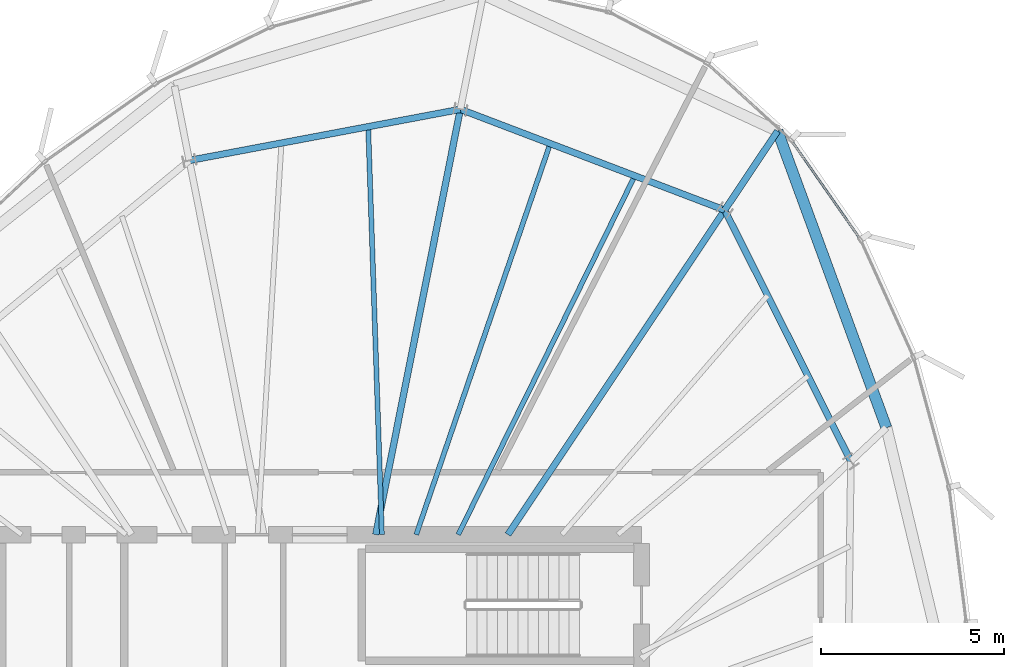
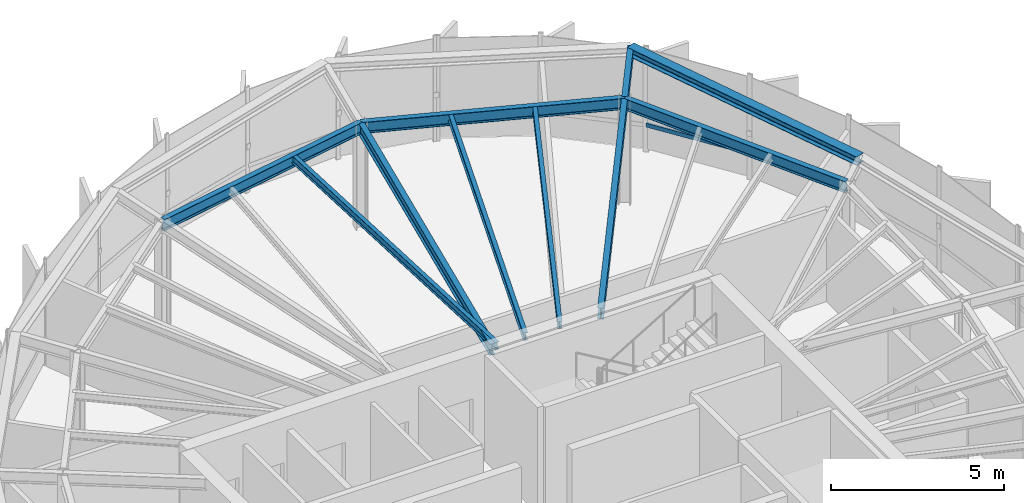
# One storey, part 16 of 26: 10 beams, 1 member, 1 element without a shape of its own.
"""IFC4 building model written with IfcOpenShell, lengths in metres."""

from ifc_helpers import new_model, si_unit, direction, frame, origin, origin_2d, place, context, subcontext, project, spatial, hollow_rectangle, i_section, extrude, source, transform, mapped, material, layer, layer_set, material_profile, profile_set, type_object, element, aggregate, save


model = new_model("IFC4")

# Units and contexts
model_context = context("Model", 3, precision=1e-05, world=origin(), true_north=direction((0.0, 1.0)))
body_context = subcontext(model_context, "Body", "Model", "MODEL_VIEW")
ifc_project = project(units=[si_unit("LENGTHUNIT", "METRE"), si_unit("AREAUNIT", "SQUARE_METRE"), si_unit("VOLUMEUNIT", "CUBIC_METRE"), si_unit("PLANEANGLEUNIT", "RADIAN"), si_unit("MASSUNIT", "GRAM", prefix="KILO"), si_unit("THERMODYNAMICTEMPERATUREUNIT", "KELVIN")], contexts=[model_context])

# Site, building, storey
site_placement = place(None, origin())
site = spatial("IfcSite", under=ifc_project, at=site_placement, CompositionType="ELEMENT")
building_placement = place(site_placement, origin())
building = spatial("IfcBuilding", under=site, at=building_placement, Name="Kethvar Cultural Tower", CompositionType="ELEMENT")
storey_placement = place(building_placement, frame((0.0, 0.0, 316.300048828125)))
storey = spatial("IfcBuildingStorey", under=building, at=storey_placement, Name="L84", CompositionType="ELEMENT", Elevation=316.300048828125)

# Beams
ifc_material_1 = material(Name="Steel S355J2", Category="steel")
ifc_material_profile_1 = material_profile(ifc_material_1, i_section(OverallWidth=0.135009765625, OverallDepth=0.27001953125, WebThickness=0.006591796875, FlangeThickness=0.01025390625, FilletRadius=0.014892578125, at=origin_2d()), Name="Steel S355J2 — IPE270")
ifc_profile_set_1 = profile_set([ifc_material_profile_1], Name="Steel S355J2 — IPE270")
beam_type_1 = type_object("IfcBeamType", Name="BM-J270", PredefinedType="JOIST", material=ifc_profile_set_1)
shared_shape_1 = source(origin(), body_context, "Body", "SweptSolid", [
    extrude(i_section(OverallWidth=0.135009765625, OverallDepth=0.27001953125, WebThickness=0.006591796875, FlangeThickness=0.01025390625, FilletRadius=0.014892578125, at=origin_2d()), origin(), (0.0, 0.0, 1.0), 10.935791015625),
])
beam_1_placement = place(storey_placement, frame((50.5888671875, 35.5, 3.597900390625), z_axis=(0.441498236677, 0.897262117227, 0.0), x_axis=(-0.897262117227, 0.441498236677, 0.0)))
element("IfcBeam", 1, at=beam_1_placement, inside=storey, type_object=beam_type_1, Name="L84 Composite Floor Joist J-03A", PredefinedType="JOIST", context=body_context, shape_type="MappedRepresentation", body=[
    mapped(shared_shape_1, transform((0.0, 0.0, 0.0), scale=1.0)),
])
shared_shape_2 = source(origin(), body_context, "Body", "SweptSolid", [
    extrude(i_section(OverallWidth=0.135009765625, OverallDepth=0.27001953125, WebThickness=0.006591796875, FlangeThickness=0.01025390625, FilletRadius=0.014892578125, at=origin_2d()), origin(), (0.0, 0.0, 1.0), 11.304931640625),
])
beam_2_placement = place(storey_placement, frame((49.438720703125, 35.5, 3.597900390625), z_axis=(0.324179110764, 0.945995720997, 0.0), x_axis=(-0.945995720997, 0.324179110764, 0.0)))
element("IfcBeam", 2, at=beam_2_placement, inside=storey, type_object=beam_type_1, Name="L84 Composite Floor Joist J-03B", PredefinedType="JOIST", context=body_context, shape_type="MappedRepresentation", body=[
    mapped(shared_shape_2, transform((0.0, 0.0, 0.0), scale=1.0)),
])
shared_shape_3 = source(origin(), body_context, "Body", "SweptSolid", [
    extrude(i_section(OverallWidth=0.135009765625, OverallDepth=0.27001953125, WebThickness=0.006591796875, FlangeThickness=0.01025390625, FilletRadius=0.014892578125, at=origin_2d()), origin(), (0.0, 0.0, 1.0), 11.162109375),
])
beam_3_placement = place(storey_placement, frame((48.5, 35.5, 3.597900390625), z_axis=(-0.0335959409, 0.999435497046, 0.0), x_axis=(-0.999435497046, -0.0335959409, 0.0)))
element("IfcBeam", 3, at=beam_3_placement, inside=storey, type_object=beam_type_1, Name="L84 Composite Floor Joist J-04A", PredefinedType="JOIST", context=body_context, shape_type="MappedRepresentation", body=[
    mapped(shared_shape_3, transform((0.0, 0.0, 0.0), scale=1.0)),
])
ifc_material_profile_2 = material_profile(ifc_material_1, i_section(OverallWidth=0.179931640625, OverallDepth=0.39990234375, WebThickness=0.008544921875, FlangeThickness=0.013427734375, FilletRadius=0.02099609375, at=origin_2d()), Name="Steel S355J2 — IPE400")
ifc_profile_set_2 = profile_set([ifc_material_profile_2], Name="Steel S355J2 — IPE400")
beam_type_2 = type_object("IfcBeamType", Name="BM-IPE400", PredefinedType="BEAM", material=ifc_profile_set_2)
shared_shape_4 = source(origin(), body_context, "Body", "SweptSolid", [
    extrude(i_section(OverallWidth=0.179931640625, OverallDepth=0.39990234375, WebThickness=0.008544921875, FlangeThickness=0.013427734375, FilletRadius=0.02099609375, at=origin_2d()), origin(), (0.0, 0.0, 1.0), 10.673828125),
])
beam_4_placement = place(storey_placement, frame((51.945068359375, 35.5, 3.532958984375), z_axis=(0.555576086183, 0.831465701314, 0.0), x_axis=(-0.831465701314, 0.555576086183, 0.0)))
element("IfcBeam", 4, at=beam_4_placement, inside=storey, type_object=beam_type_2, Name="L84 Primary Radial Beam RB-03", PredefinedType="BEAM", context=body_context, shape_type="MappedRepresentation", body=[
    mapped(shared_shape_4, transform((0.0, 0.0, 0.0), scale=1.0)),
])
shared_shape_5 = source(origin(), body_context, "Body", "SweptSolid", [
    extrude(i_section(OverallWidth=0.179931640625, OverallDepth=0.39990234375, WebThickness=0.008544921875, FlangeThickness=0.013427734375, FilletRadius=0.02099609375, at=origin_2d()), origin(), (0.0, 0.0, 1.0), 11.859375),
])
beam_5_placement = place(storey_placement, frame((48.33154296875, 35.5, 3.532958984375), z_axis=(0.195094640585, 0.980784421377, 0.0), x_axis=(-0.980784421377, 0.195094640585, 0.0)))
element("IfcBeam", 5, at=beam_5_placement, inside=storey, type_object=beam_type_2, Name="L84 Primary Radial Beam RB-04", PredefinedType="BEAM", context=body_context, shape_type="MappedRepresentation", body=[
    mapped(shared_shape_5, transform((0.0, 0.0, 0.0), scale=1.0)),
])
shared_shape_6 = source(origin(), body_context, "Body", "SweptSolid", [
    extrude(i_section(OverallWidth=0.179931640625, OverallDepth=0.39990234375, WebThickness=0.008544921875, FlangeThickness=0.013427734375, FilletRadius=0.02099609375, at=origin_2d()), origin(), (0.0, 0.0, 1.0), 7.68701171875),
])
beam_6_placement = place(storey_placement, frame((61.32568359375, 37.505859375, 3.532958984375), z_axis=(-0.448864354142, 0.893599905763, 0.0), x_axis=(-0.893599905763, -0.448864354142, 0.0)))
element("IfcBeam", 6, at=beam_6_placement, inside=storey, type_object=beam_type_2, Name="L84 Column Ring Tie Beam CR-02", PredefinedType="BEAM", context=body_context, shape_type="MappedRepresentation", body=[
    mapped(shared_shape_6, transform((0.0, 0.0, 0.0), scale=1.0)),
])
shared_shape_7 = source(origin(), body_context, "Body", "SweptSolid", [
    extrude(i_section(OverallWidth=0.179931640625, OverallDepth=0.39990234375, WebThickness=0.008544921875, FlangeThickness=0.013427734375, FilletRadius=0.02099609375, at=origin_2d()), origin(), (0.0, 0.0, 1.0), 7.737548828125),
])
beam_7_placement = place(storey_placement, frame((57.875244140625, 44.375, 3.532958984375), z_axis=(-0.934388230776, 0.356256416347, 0.0), x_axis=(-0.356256416347, -0.934388230776, 0.0)))
element("IfcBeam", 7, at=beam_7_placement, inside=storey, type_object=beam_type_2, Name="L84 Column Ring Tie Beam CR-03", PredefinedType="BEAM", context=body_context, shape_type="MappedRepresentation", body=[
    mapped(shared_shape_7, transform((0.0, 0.0, 0.0), scale=1.0)),
])
shared_shape_8 = source(origin(), body_context, "Body", "SweptSolid", [
    extrude(i_section(OverallWidth=0.179931640625, OverallDepth=0.39990234375, WebThickness=0.008544921875, FlangeThickness=0.013427734375, FilletRadius=0.02099609375, at=origin_2d()), origin(), (0.0, 0.0, 1.0), 7.543212890625),
])
beam_8_placement = place(storey_placement, frame((50.645263671875, 47.131591796875, 3.532958984375), z_axis=(-0.982646853086, -0.185486285532, 0.0), x_axis=(0.185486285532, -0.982646853086, 0.0)))
element("IfcBeam", 8, at=beam_8_placement, inside=storey, type_object=beam_type_2, Name="L84 Column Ring Tie Beam CR-04", PredefinedType="BEAM", context=body_context, shape_type="MappedRepresentation", body=[
    mapped(shared_shape_8, transform((0.0, 0.0, 0.0), scale=1.0)),
])
shared_shape_9 = source(origin(), body_context, "Body", "SweptSolid", [
    extrude(i_section(OverallWidth=0.179931640625, OverallDepth=0.39990234375, WebThickness=0.008544921875, FlangeThickness=0.013427734375, FilletRadius=0.02099609375, at=origin_2d()), origin(), (0.0, 0.0, 1.0), 2.602294921875),
])
beam_9_placement = place(storey_placement, frame((57.875244140625, 44.375, 3.532958984375), z_axis=(0.555501007206, 0.831515863345, 0.0), x_axis=(-0.831515863345, 0.555501007206, 0.0)))
element("IfcBeam", 9, at=beam_9_placement, inside=storey, type_object=beam_type_2, Name="L84 Perimeter Cantilever Beam RC-03", PredefinedType="BEAM", context=body_context, shape_type="MappedRepresentation", body=[
    mapped(shared_shape_9, transform((0.0, 0.0, 0.0), scale=1.0)),
])
ifc_material_profile_3 = material_profile(ifc_material_1, i_section(OverallWidth=0.300048828125, OverallDepth=0.300048828125, WebThickness=0.010986328125, FlangeThickness=0.01904296875, FilletRadius=0.027099609375, at=origin_2d()), Name="Steel S355J2 — HEB300")
ifc_profile_set_3 = profile_set([ifc_material_profile_3], Name="Steel S355J2 — HEB300")
beam_type_3 = type_object("IfcBeamType", Name="BM-SP300", PredefinedType="SPANDREL", material=ifc_profile_set_3)
shared_shape_10 = source(origin(), body_context, "Body", "SweptSolid", [
    extrude(i_section(OverallWidth=0.300048828125, OverallDepth=0.300048828125, WebThickness=0.010986328125, FlangeThickness=0.01904296875, FilletRadius=0.027099609375, at=origin_2d()), origin(), (0.0, 0.0, 1.0), 8.64453125),
])
beam_10_placement = place(storey_placement, frame((62.297119140625, 38.4228515625, 3.5830078125), z_axis=(-0.344301949743, 0.938858970987, 0.0), x_axis=(-0.938858970987, -0.344301949743, 0.0)))
element("IfcBeam", 10, at=beam_10_placement, inside=storey, type_object=beam_type_3, Name="L84 Perimeter Spandrel Beam SP-02", PredefinedType="SPANDREL", context=body_context, shape_type="MappedRepresentation", body=[
    mapped(shared_shape_10, transform((0.0, 0.0, 0.0), scale=1.0)),
])

# Curtain wall, member
ifc_material_2 = material(Name="Aluminium 6063-T6", Category="aluminium")
ifc_layer = layer(ifc_material_2, 0.179931640625, Name="Aluminium 6063-T6", Category="aluminium")
ifc_layer_set = layer_set([ifc_layer], Name="Aluminium 6063-T6 (180 mm)")
curtain_wall_type = type_object("IfcCurtainWallType", Name="CW-SYS-06-CROWN", PredefinedType="NOTDEFINED", material=ifc_layer_set)
curtain_wall_placement = place(storey_placement, origin())
curtain_wall = element("IfcCurtainWall", 11, at=curtain_wall_placement, inside=storey, type_object=curtain_wall_type, Name="L84 Curtain Wall Run 06", PredefinedType="NOTDEFINED")
ifc_material_profile_4 = material_profile(ifc_material_2, hollow_rectangle(XDim=0.06005859375, YDim=0.139892578125, WallThickness=0.0048828125, at=origin_2d()), Name="Aluminium 6063-T6 — RHS140x60x5")
ifc_profile_set_4 = profile_set([ifc_material_profile_4], Name="Aluminium 6063-T6 — RHS140x60x5")
member_type = type_object("IfcMemberType", Name="CW-SYS-06-CROWN-TRN", PredefinedType="USERDEFINED", material=ifc_profile_set_4)
shared_shape_11 = source(origin(), body_context, "Body", "SweptSolid", [
    extrude(hollow_rectangle(XDim=0.06005859375, YDim=0.139892578125, WallThickness=0.0048828125, at=origin_2d()), origin(), (0.0, 0.0, 1.0), 3.2529296875),
])
member_placement = place(storey_placement, frame((61.56494140625, 43.604736328125, 0.949951171875), z_axis=(-0.572343591504, 0.820013910409, 0.0), x_axis=(-0.820013910409, -0.572343591504, 0.0)))
member = element("IfcMember", 12, at=member_placement, type_object=member_type, Name="CW-L84-R06 Transom 4", ObjectType="TRANSOM", PredefinedType="USERDEFINED", context=body_context, shape_type="MappedRepresentation", body=[
    mapped(shared_shape_11, transform((0.0, 0.0, 0.0), scale=1.0)),
])
aggregate(curtain_wall, [member])

save(model, "model.ifc")
